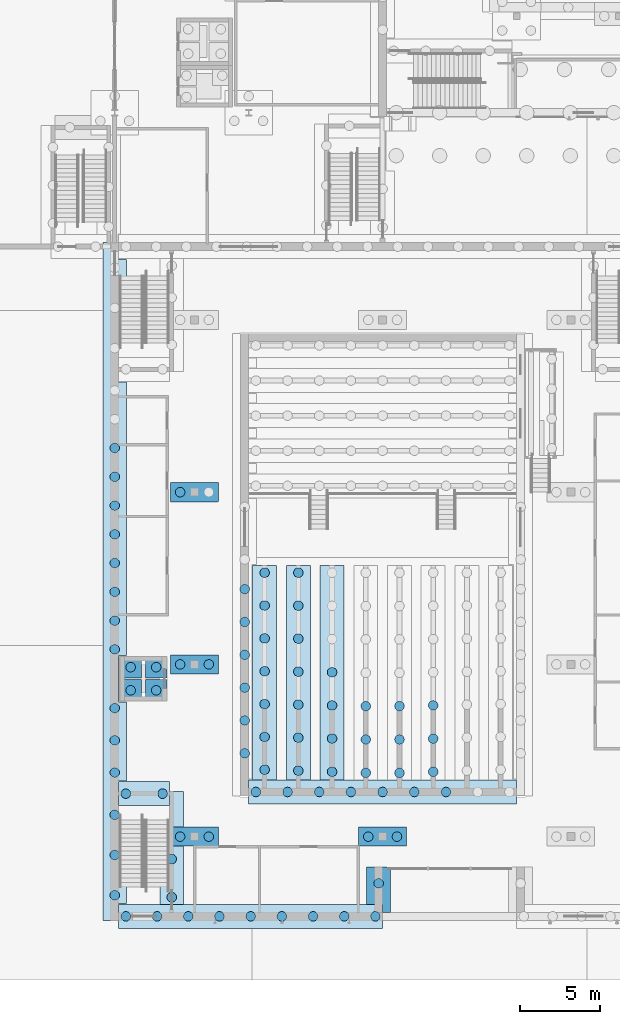
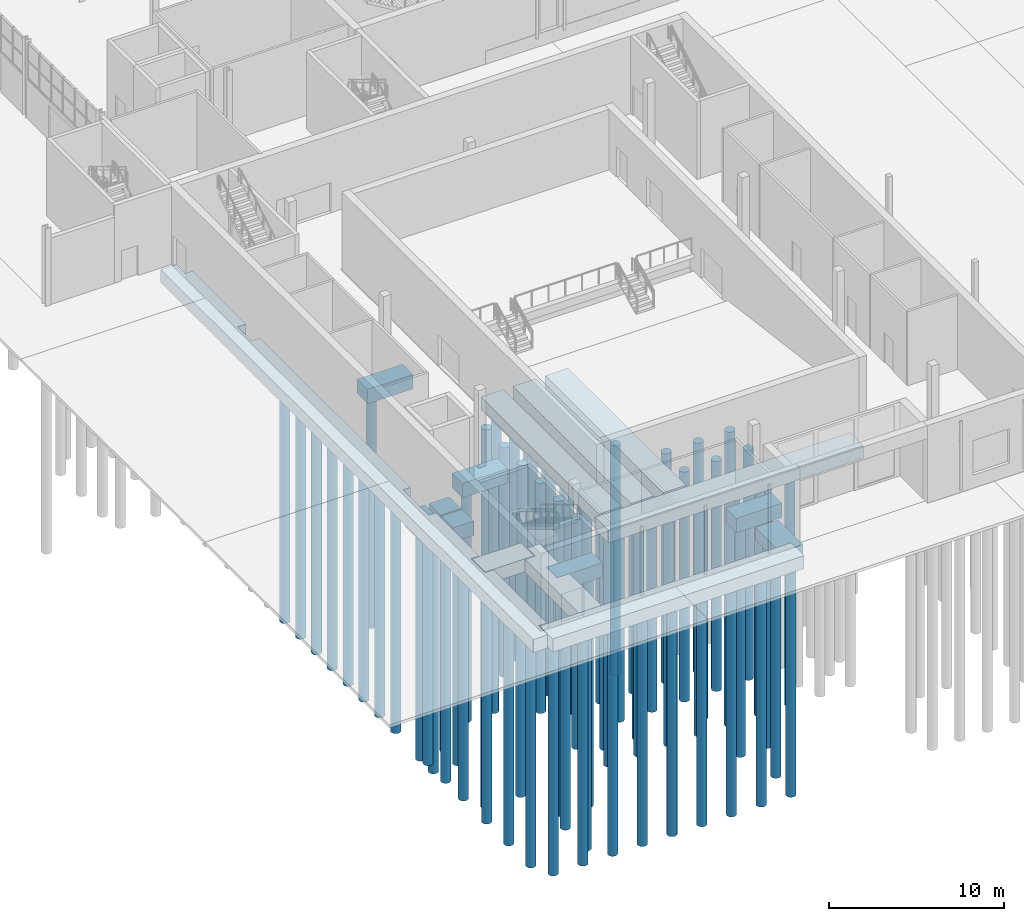
# One storey, part 1 of 127: 79 piles, 17 footings.
"""IFC4 building model written with IfcOpenShell, lengths in metres."""

from ifc_helpers import new_model, si_unit, direction, frame, origin, origin_2d, place, context, subcontext, project, spatial, polyline, circle, outline, extrude, material, layer, layer_set, material_profile, profile_set, type_object, element, save


model = new_model("IFC4")

# Units and contexts
model_context = context("Model", 3, precision=1e-05, world=origin(), true_north=direction((0.0, 1.0)))
body_context = subcontext(model_context, "Body", "Model", "MODEL_VIEW")
ifc_project = project(units=[si_unit("LENGTHUNIT", "METRE"), si_unit("AREAUNIT", "SQUARE_METRE"), si_unit("VOLUMEUNIT", "CUBIC_METRE"), si_unit("PLANEANGLEUNIT", "RADIAN"), si_unit("MASSUNIT", "GRAM", prefix="KILO")], contexts=[model_context])

# Site, building, storey
site_placement = place(None, origin())
site = spatial("IfcSite", under=ifc_project, at=site_placement, CompositionType="ELEMENT")
building_placement = place(site_placement, origin())
building = spatial("IfcBuilding", under=site, at=building_placement, Name="Ljudholm Concert House", CompositionType="ELEMENT")
storey_placement = place(building_placement, origin())
storey = spatial("IfcBuildingStorey", under=building, at=storey_placement, Name="L00", CompositionType="ELEMENT", Elevation=0.0)

# Piles
ifc_material_1 = material(Name="Concrete 5,000 psi", Category="concrete")
ifc_material_profile = material_profile(ifc_material_1, circle(Radius=0.300048828125, at=origin_2d()), Name="AUGER-CAST PILE D600")
ifc_profile_set = profile_set([ifc_material_profile], Name="Concrete 5,000 psi")
pile_type = type_object("IfcPileType", Name="AUGER-CAST PILE D600", PredefinedType="BORED", material=ifc_profile_set)
for number, where, z_axis, x_axis, name in (
    (1, (16.5, 9.0, -1.409912109375), (0.0, 0.0, -1.0), (1.0, 0.0, 0.0), "Pile D600"),
    (2, (18.300048828125, 9.0, -1.409912109375), (0.0, 0.0, -1.0), (1.0, 0.0, 0.0), "Pile D600"),
    (3, (16.5, 19.800048828125, -1.409912109375), (0.0, 0.0, -1.0), (1.0, 0.0, 0.0), "Pile D600"),
    (4, (18.300048828125, 19.800048828125, -1.409912109375), (0.0, 0.0, -1.0), (1.0, 0.0, 0.0), "Pile D600"),
    (5, (16.5, 30.60009765625, -1.409912109375), (0.0, 0.0, -1.0), (1.0, 0.0, 0.0), "Pile D600"),
    (6, (28.300048828125, 9.0, -1.409912109375), (0.0, 0.0, -1.0), (1.0, 0.0, 0.0), "Pile D600"),
    (7, (30.10009765625, 9.0, -1.409912109375), (0.0, 0.0, -1.0), (1.0, 0.0, 0.0), "Pile D600"),
    (8, (13.39990234375, 18.175048828125, -2.89990234375), (0.0, 0.0, -1.0), (1.0, 0.0, 0.0), "Pile D600"),
    (9, (15.0, 18.175048828125, -2.89990234375), (0.0, 0.0, -1.0), (1.0, 0.0, 0.0), "Pile D600"),
    (10, (13.39990234375, 19.625, -2.89990234375), (0.0, 0.0, -1.0), (1.0, 0.0, 0.0), "Pile D600"),
    (11, (15.0, 19.625, -2.89990234375), (0.0, 0.0, -1.0), (1.0, 0.0, 0.0), "Pile D600"),
    (12, (13.10009765625, 11.695068359375, -1.31005859375), (0.0, 0.0, -1.0), (1.0, 0.0, 0.0), "Pile D600"),
    (13, (15.39990234375, 11.695068359375, -1.31005859375), (0.0, 0.0, -1.0), (1.0, 0.0, 0.0), "Pile D600"),
    (14, (21.25, 11.800048828125, -1.31005859375), (0.0, 0.0, -1.0), (1.0, 0.0, 0.0), "Pile D600"),
    (15, (23.237548828125, 11.800048828125, -1.31005859375), (0.0, 0.0, -1.0), (1.0, 0.0, 0.0), "Pile D600"),
    (16, (25.22509765625, 11.800048828125, -1.31005859375), (0.0, 0.0, -1.0), (1.0, 0.0, 0.0), "Pile D600"),
    (17, (27.21240234375, 11.800048828125, -1.31005859375), (0.0, 0.0, -1.0), (1.0, 0.0, 0.0), "Pile D600"),
    (18, (29.199951171875, 11.800048828125, -1.31005859375), (0.0, 0.0, -1.0), (1.0, 0.0, 0.0), "Pile D600"),
    (19, (31.1875, 11.800048828125, -1.31005859375), (0.0, 0.0, -1.0), (1.0, 0.0, 0.0), "Pile D600"),
    (20, (33.175048828125, 11.800048828125, -1.31005859375), (0.0, 0.0, -1.0), (1.0, 0.0, 0.0), "Pile D600"),
    (21, (13.10009765625, 4.0, -1.31005859375), (0.0, 0.0, -1.0), (1.0, 0.0, 0.0), "Pile D600"),
    (22, (15.05615234375, 4.0, -1.31005859375), (0.0, 0.0, -1.0), (1.0, 0.0, 0.0), "Pile D600"),
    (23, (17.012451171875, 4.0, -1.31005859375), (0.0, 0.0, -1.0), (1.0, 0.0, 0.0), "Pile D600"),
    (24, (18.96875, 4.0, -1.31005859375), (0.0, 0.0, -1.0), (1.0, 0.0, 0.0), "Pile D600"),
    (25, (20.925048828125, 4.0, -1.31005859375), (0.0, 0.0, -1.0), (1.0, 0.0, 0.0), "Pile D600"),
    (26, (22.88134765625, 4.0, -1.31005859375), (0.0, 0.0, -1.0), (1.0, 0.0, 0.0), "Pile D600"),
    (27, (24.83740234375, 4.0, -1.31005859375), (0.0, 0.0, -1.0), (1.0, 0.0, 0.0), "Pile D600"),
    (28, (26.793701171875, 4.0, -1.31005859375), (0.0, 0.0, -1.0), (1.0, 0.0, 0.0), "Pile D600"),
    (29, (28.75, 4.0, -1.31005859375), (0.0, 0.0, -1.0), (1.0, 0.0, 0.0), "Pile D600"),
    (30, (15.97509765625, 5.199951171875, -1.31005859375), (0.0, 0.0, -1.0), (1.0, 0.0, 0.0), "Pile D600"),
    (31, (15.97509765625, 7.59521484375, -1.31005859375), (0.0, 0.0, -1.0), (1.0, 0.0, 0.0), "Pile D600"),
    (32, (28.949951171875, 6.068115234375, -1.31005859375), (0.0, 0.0, -1.0), (1.0, 0.0, 0.0), "Pile D600"),
    (33, (21.800048828125, 13.195068359375, -1.199951171875), (0.0, 0.0, -1.0), (1.0, 0.0, 0.0), "Pile D600"),
    (34, (21.800048828125, 15.254150390625, -1.199951171875), (0.0, 0.0, -1.0), (1.0, 0.0, 0.0), "Pile D600"),
    (35, (21.800048828125, 17.3134765625, -1.199951171875), (0.0, 0.0, -1.0), (1.0, 0.0, 0.0), "Pile D600"),
    (36, (21.800048828125, 19.37255859375, -1.199951171875), (0.0, 0.0, -1.0), (1.0, 0.0, 0.0), "Pile D600"),
    (37, (21.800048828125, 21.431640625, -1.199951171875), (0.0, 0.0, -1.0), (1.0, 0.0, 0.0), "Pile D600"),
    (38, (21.800048828125, 23.490966796875, -1.199951171875), (0.0, 0.0, -1.0), (1.0, 0.0, 0.0), "Pile D600"),
    (39, (21.800048828125, 25.550048828125, -1.199951171875), (0.0, 0.0, -1.0), (1.0, 0.0, 0.0), "Pile D600"),
    (40, (23.914306640625, 13.13818359375, -1.199951171875), (0.0, 0.0, -1.0), (1.0, 0.0, 0.0), "Pile D600"),
    (41, (23.914306640625, 15.206787109375, -1.199951171875), (0.0, 0.0, -1.0), (1.0, 0.0, 0.0), "Pile D600"),
    (42, (23.914306640625, 17.275390625, -1.199951171875), (0.0, 0.0, -1.0), (1.0, 0.0, 0.0), "Pile D600"),
    (43, (23.914306640625, 19.343994140625, -1.199951171875), (0.0, 0.0, -1.0), (1.0, 0.0, 0.0), "Pile D600"),
    (44, (23.914306640625, 21.41259765625, -1.199951171875), (0.0, 0.0, -1.0), (1.0, 0.0, 0.0), "Pile D600"),
    (45, (23.914306640625, 23.4814453125, -1.199951171875), (0.0, 0.0, -1.0), (1.0, 0.0, 0.0), "Pile D600"),
    (46, (23.914306640625, 25.550048828125, -1.199951171875), (0.0, 0.0, -1.0), (1.0, 0.0, 0.0), "Pile D600"),
    (47, (26.028564453125, 13.066162109375, -1.199951171875), (0.0, 0.0, -1.0), (1.0, 0.0, 0.0), "Pile D600"),
    (48, (26.028564453125, 15.146728515625, -1.199951171875), (0.0, 0.0, -1.0), (1.0, 0.0, 0.0), "Pile D600"),
    (49, (26.028564453125, 17.227294921875, -1.199951171875), (0.0, 0.0, -1.0), (1.0, 0.0, 0.0), "Pile D600"),
    (50, (26.028564453125, 19.30810546875, -1.199951171875), (0.0, 0.0, -1.0), (1.0, 0.0, 0.0), "Pile D600"),
    (51, (28.142822265625, 13.0, -1.199951171875), (0.0, 0.0, -1.0), (1.0, 0.0, 0.0), "Pile D600"),
    (52, (28.142822265625, 15.091552734375, -1.199951171875), (0.0, 0.0, -1.0), (1.0, 0.0, 0.0), "Pile D600"),
    (53, (28.142822265625, 17.183349609375, -1.199951171875), (0.0, 0.0, -1.0), (1.0, 0.0, 0.0), "Pile D600"),
    (54, (30.257080078125, 13.0, -1.199951171875), (0.0, 0.0, -1.0), (1.0, 0.0, 0.0), "Pile D600"),
    (55, (30.257080078125, 15.091552734375, -1.199951171875), (0.0, 0.0, -1.0), (1.0, 0.0, 0.0), "Pile D600"),
    (56, (30.257080078125, 17.183349609375, -1.199951171875), (0.0, 0.0, -1.0), (1.0, 0.0, 0.0), "Pile D600"),
    (57, (32.371337890625, 13.066162109375, -1.199951171875), (0.0, 0.0, -1.0), (1.0, 0.0, 0.0), "Pile D600"),
    (58, (32.371337890625, 15.146728515625, -1.199951171875), (0.0, 0.0, -1.0), (1.0, 0.0, 0.0), "Pile D600"),
    (59, (32.371337890625, 17.227294921875, -1.199951171875), (0.0, 0.0, -1.0), (1.0, 0.0, 0.0), "Pile D600"),
    (60, (20.550048828125, 14.224609375, -1.31005859375), (0.0, 0.0, -1.0), (1.0, 0.0, 0.0), "Pile D600"),
    (61, (20.550048828125, 16.283935546875, -1.31005859375), (0.0, 0.0, -1.0), (1.0, 0.0, 0.0), "Pile D600"),
    (62, (20.550048828125, 18.343017578125, -1.31005859375), (0.0, 0.0, -1.0), (1.0, 0.0, 0.0), "Pile D600"),
    (63, (20.550048828125, 20.402099609375, -1.31005859375), (0.0, 0.0, -1.0), (1.0, 0.0, 0.0), "Pile D600"),
    (64, (20.550048828125, 22.461181640625, -1.31005859375), (0.0, 0.0, -1.0), (1.0, 0.0, 0.0), "Pile D600"),
    (65, (20.550048828125, 24.5205078125, -1.31005859375), (0.0, 0.0, -1.0), (1.0, 0.0, 0.0), "Pile D600"),
    (66, (12.39990234375, 5.326416015625, -1.31005859375), (0.0, 0.0, -1.0), (1.0, 0.0, 0.0), "Pile D600"),
    (67, (12.39990234375, 7.847412109375, -1.31005859375), (0.0, 0.0, -1.0), (1.0, 0.0, 0.0), "Pile D600"),
    (68, (12.39990234375, 10.36865234375, -1.31005859375), (0.0, 0.0, -1.0), (1.0, 0.0, 0.0), "Pile D600"),
    (69, (12.39990234375, 13.021484375, -1.31005859375), (0.0, 0.0, -1.0), (1.0, 0.0, 0.0), "Pile D600"),
    (70, (12.39990234375, 15.039306640625, -1.31005859375), (0.0, 0.0, -1.0), (1.0, 0.0, 0.0), "Pile D600"),
    (71, (12.39990234375, 17.05712890625, -1.31005859375), (0.0, 0.0, -1.0), (1.0, 0.0, 0.0), "Pile D600"),
    (72, (12.39990234375, 20.74267578125, -1.31005859375), (0.0, 0.0, -1.0), (1.0, 0.0, 0.0), "Pile D600"),
    (73, (12.39990234375, 22.546630859375, -1.31005859375), (0.0, 0.0, -1.0), (1.0, 0.0, 0.0), "Pile D600"),
    (74, (12.39990234375, 24.350830078125, -1.31005859375), (0.0, 0.0, -1.0), (1.0, 0.0, 0.0), "Pile D600"),
    (75, (12.39990234375, 26.15478515625, -1.31005859375), (0.0, 0.0, -1.0), (1.0, 0.0, 0.0), "Pile D600"),
    (76, (12.39990234375, 27.958740234375, -1.31005859375), (0.0, 0.0, -1.0), (1.0, 0.0, 0.0), "Pile D600"),
    (77, (12.39990234375, 29.7626953125, -1.31005859375), (0.0, 0.0, -1.0), (1.0, 0.0, 0.0), "Pile D600"),
    (78, (12.39990234375, 31.566650390625, -1.31005859375), (0.0, 0.0, -1.0), (1.0, 0.0, 0.0), "Pile D600"),
    (79, (12.39990234375, 33.37060546875, -1.31005859375), (0.0, 0.0, -1.0), (1.0, 0.0, 0.0), "Pile D600"),
):
    element("IfcPile", number, at=place(storey_placement, frame(where, z_axis=z_axis, x_axis=x_axis)), inside=storey, type_object=pile_type, Name=name, PredefinedType="BORED", context=body_context, shape_type="SweptSolid", body=[
        extrude(circle(Radius=0.300048828125, at=origin_2d()), origin(), (0.0, 0.0, 1.0), 16.0),
    ])

# Footings
ifc_material_2 = material(Name="Concrete 5,000 psi", Category="concrete")
ifc_layer_1 = layer(ifc_material_2, 1.0)
ifc_layer_set_1 = layer_set([ifc_layer_1], Name="Concrete 5,000 psi")
footing_type_1 = type_object("IfcFootingType", Name="RC PILE CAP 1350x1350x1000", PredefinedType="PILE_CAP", material=ifc_layer_set_1)
footing_1_placement = place(storey_placement, frame((0.0, 0.0, -2.89990234375)))
element("IfcFooting", 80, at=footing_1_placement, inside=storey, type_object=footing_type_1, Name="Pile cap", PredefinedType="PILE_CAP", context=body_context, shape_type="SweptSolid", body=[
    extrude(outline(polyline([(12.735107421875, 17.5), (14.06494140625, 17.5), (14.06884765625, 17.500732421875), (14.072021484375, 17.5029296875), (14.07421875, 17.506103515625), (14.074951171875, 17.510009765625), (14.074951171875, 18.840087890625), (14.07421875, 18.84375), (14.072021484375, 18.84716796875), (14.06884765625, 18.84912109375), (14.06494140625, 18.85009765625), (12.735107421875, 18.85009765625), (12.731201171875, 18.84912109375), (12.72802734375, 18.84716796875), (12.725830078125, 18.84375), (12.72509765625, 18.840087890625), (12.72509765625, 17.510009765625), (12.725830078125, 17.506103515625), (12.72802734375, 17.5029296875), (12.731201171875, 17.500732421875), (12.735107421875, 17.5)])), origin(), (0.0, 0.0, 1.0), 1.0),
])
footing_2_placement = place(storey_placement, frame((0.0, 0.0, -2.89990234375)))
element("IfcFooting", 81, at=footing_2_placement, inside=storey, type_object=footing_type_1, Name="Pile cap", PredefinedType="PILE_CAP", context=body_context, shape_type="SweptSolid", body=[
    extrude(outline(polyline([(14.3349609375, 17.5), (15.6650390625, 17.5), (15.6689453125, 17.500732421875), (15.672119140625, 17.5029296875), (15.67431640625, 17.506103515625), (15.675048828125, 17.510009765625), (15.675048828125, 18.840087890625), (15.67431640625, 18.84375), (15.672119140625, 18.84716796875), (15.6689453125, 18.84912109375), (15.6650390625, 18.85009765625), (14.3349609375, 18.85009765625), (14.3310546875, 18.84912109375), (14.327880859375, 18.84716796875), (14.32568359375, 18.84375), (14.324951171875, 18.840087890625), (14.324951171875, 17.510009765625), (14.32568359375, 17.506103515625), (14.327880859375, 17.5029296875), (14.3310546875, 17.500732421875), (14.3349609375, 17.5)])), origin(), (0.0, 0.0, 1.0), 1.0),
])
footing_3_placement = place(storey_placement, frame((0.0, 0.0, -2.89990234375)))
element("IfcFooting", 82, at=footing_3_placement, inside=storey, type_object=footing_type_1, Name="Pile cap", PredefinedType="PILE_CAP", context=body_context, shape_type="SweptSolid", body=[
    extrude(outline(polyline([(12.735107421875, 18.949951171875), (14.06494140625, 18.949951171875), (14.06884765625, 18.95068359375), (14.072021484375, 18.952880859375), (14.07421875, 18.9560546875), (14.074951171875, 18.9599609375), (14.074951171875, 20.2900390625), (14.07421875, 20.2939453125), (14.072021484375, 20.297119140625), (14.06884765625, 20.29931640625), (14.06494140625, 20.300048828125), (12.735107421875, 20.300048828125), (12.731201171875, 20.29931640625), (12.72802734375, 20.297119140625), (12.725830078125, 20.2939453125), (12.72509765625, 20.2900390625), (12.72509765625, 18.9599609375), (12.725830078125, 18.9560546875), (12.72802734375, 18.952880859375), (12.731201171875, 18.95068359375), (12.735107421875, 18.949951171875)])), origin(), (0.0, 0.0, 1.0), 1.0),
])
footing_4_placement = place(storey_placement, frame((0.0, 0.0, -2.89990234375)))
element("IfcFooting", 83, at=footing_4_placement, inside=storey, type_object=footing_type_1, Name="Pile cap", PredefinedType="PILE_CAP", context=body_context, shape_type="SweptSolid", body=[
    extrude(outline(polyline([(14.3349609375, 18.949951171875), (15.6650390625, 18.949951171875), (15.6689453125, 18.95068359375), (15.672119140625, 18.952880859375), (15.67431640625, 18.9560546875), (15.675048828125, 18.9599609375), (15.675048828125, 20.2900390625), (15.67431640625, 20.2939453125), (15.672119140625, 20.297119140625), (15.6689453125, 20.29931640625), (15.6650390625, 20.300048828125), (14.3349609375, 20.300048828125), (14.3310546875, 20.29931640625), (14.327880859375, 20.297119140625), (14.32568359375, 20.2939453125), (14.324951171875, 20.2900390625), (14.324951171875, 18.9599609375), (14.32568359375, 18.9560546875), (14.327880859375, 18.952880859375), (14.3310546875, 18.95068359375), (14.3349609375, 18.949951171875)])), origin(), (0.0, 0.0, 1.0), 1.0),
])
ifc_material_3 = material(Name="Concrete 5,000 psi", Category="concrete")
ifc_layer_2 = layer(ifc_material_3, 1.0)
ifc_layer_set_2 = layer_set([ifc_layer_2], Name="Concrete 5,000 psi")
footing_type_2 = type_object("IfcFootingType", Name="RC PILE CAP 3000x1200x1000", PredefinedType="PILE_CAP", material=ifc_layer_set_2)
footing_5_placement = place(storey_placement, frame((0.0, 0.0, -1.409912109375)))
element("IfcFooting", 84, at=footing_5_placement, inside=storey, type_object=footing_type_2, Name="Pile cap", PredefinedType="PILE_CAP", context=body_context, shape_type="SweptSolid", body=[
    extrude(outline(polyline([(15.909912109375, 8.39990234375), (18.889892578125, 8.39990234375), (18.893798828125, 8.40087890625), (18.898193359375, 8.404541015625), (18.89990234375, 8.409912109375), (18.89990234375, 9.590087890625), (18.899169921875, 9.59375), (18.8955078125, 9.598388671875), (18.889892578125, 9.60009765625), (15.909912109375, 9.60009765625), (15.90625, 9.59912109375), (15.901611328125, 9.595458984375), (15.89990234375, 9.590087890625), (15.89990234375, 8.409912109375), (15.90087890625, 8.40625), (15.90283203125, 8.40283203125), (15.90625, 8.40087890625), (15.909912109375, 8.39990234375)])), origin(), (0.0, 0.0, 1.0), 1.0),
])
footing_6_placement = place(storey_placement, frame((0.0, 0.0, -1.409912109375)))
element("IfcFooting", 85, at=footing_6_placement, inside=storey, type_object=footing_type_2, Name="Pile cap", PredefinedType="PILE_CAP", context=body_context, shape_type="SweptSolid", body=[
    extrude(outline(polyline([(15.89990234375, 20.389892578125), (15.89990234375, 19.2099609375), (15.901611328125, 19.204345703125), (15.90625, 19.20068359375), (15.909912109375, 19.199951171875), (18.889892578125, 19.199951171875), (18.8955078125, 19.20166015625), (18.899169921875, 19.2060546875), (18.89990234375, 19.2099609375), (18.89990234375, 20.389892578125), (18.898193359375, 20.3955078125), (18.893798828125, 20.399169921875), (18.889892578125, 20.39990234375), (15.909912109375, 20.39990234375), (15.90625, 20.399169921875), (15.90283203125, 20.39697265625), (15.90087890625, 20.393798828125), (15.89990234375, 20.389892578125)])), origin(), (0.0, 0.0, 1.0), 1.0),
])
footing_7_placement = place(storey_placement, frame((0.0, 0.0, -1.409912109375)))
element("IfcFooting", 86, at=footing_7_placement, inside=storey, type_object=footing_type_2, Name="Pile cap", PredefinedType="PILE_CAP", context=body_context, shape_type="SweptSolid", body=[
    extrude(outline(polyline([(15.909912109375, 30.0), (18.889892578125, 30.0), (18.893798828125, 30.000732421875), (18.898193359375, 30.00439453125), (18.89990234375, 30.010009765625), (18.89990234375, 31.18994140625), (18.899169921875, 31.19384765625), (18.8955078125, 31.1982421875), (18.889892578125, 31.199951171875), (15.909912109375, 31.199951171875), (15.90625, 31.19921875), (15.901611328125, 31.195556640625), (15.89990234375, 31.18994140625), (15.89990234375, 30.010009765625), (15.90087890625, 30.006103515625), (15.90283203125, 30.0029296875), (15.90625, 30.000732421875), (15.909912109375, 30.0)])), origin(), (0.0, 0.0, 1.0), 1.0),
])
footing_8_placement = place(storey_placement, frame((0.0, 0.0, -1.409912109375)))
element("IfcFooting", 87, at=footing_8_placement, inside=storey, type_object=footing_type_2, Name="Pile cap", PredefinedType="PILE_CAP", context=body_context, shape_type="SweptSolid", body=[
    extrude(outline(polyline([(27.7099609375, 8.39990234375), (30.68994140625, 8.39990234375), (30.69384765625, 8.40087890625), (30.6982421875, 8.404541015625), (30.699951171875, 8.409912109375), (30.699951171875, 9.590087890625), (30.69921875, 9.59375), (30.695556640625, 9.598388671875), (30.68994140625, 9.60009765625), (27.7099609375, 9.60009765625), (27.7060546875, 9.59912109375), (27.70166015625, 9.595458984375), (27.699951171875, 9.590087890625), (27.699951171875, 8.409912109375), (27.70068359375, 8.40625), (27.702880859375, 8.40283203125), (27.7060546875, 8.40087890625), (27.7099609375, 8.39990234375)])), origin(), (0.0, 0.0, 1.0), 1.0),
])
ifc_material_4 = material(Name="Concrete 5,000 psi", Category="concrete")
ifc_layer_3 = layer(ifc_material_4, 0.89990234375)
ifc_layer_set_3 = layer_set([ifc_layer_3], Name="Concrete 5,000 psi")
footing_type_3 = type_object("IfcFootingType", Name="RC STRIP FOOTING 1500x900", PredefinedType="STRIP_FOOTING", material=ifc_layer_set_3)
footing_9_placement = place(storey_placement, frame((0.0, 0.0, -1.31005859375)))
element("IfcFooting", 88, at=footing_9_placement, inside=storey, type_object=footing_type_3, Name="Strip footing", PredefinedType="STRIP_FOOTING", context=body_context, shape_type="SweptSolid", body=[
    extrude(outline(polyline([(12.659912109375, 10.945068359375), (15.840087890625, 10.945068359375), (15.84375, 10.94580078125), (15.848388671875, 10.949462890625), (15.85009765625, 10.955078125), (15.85009765625, 12.43505859375), (15.84912109375, 12.438720703125), (15.845458984375, 12.443359375), (15.840087890625, 12.445068359375), (12.659912109375, 12.445068359375), (12.65625, 12.4443359375), (12.651611328125, 12.440673828125), (12.64990234375, 12.43505859375), (12.64990234375, 10.955078125), (12.65087890625, 10.951171875), (12.65283203125, 10.947998046875), (12.65625, 10.94580078125), (12.659912109375, 10.945068359375)])), origin(), (0.0, 0.0, 1.0), 0.900146484375),
])
footing_10_placement = place(storey_placement, frame((0.0, 0.0, -1.31005859375)))
element("IfcFooting", 89, at=footing_10_placement, inside=storey, type_object=footing_type_3, Name="Strip footing", PredefinedType="STRIP_FOOTING", context=body_context, shape_type="SweptSolid", body=[
    extrude(outline(polyline([(20.81005859375, 11.050048828125), (37.591064453125, 11.050048828125), (37.5947265625, 11.05126953125), (37.59765625, 11.0537109375), (37.599609375, 11.05712890625), (37.60009765625, 11.06005859375), (37.599853515625, 12.541015625), (37.598876953125, 12.544677734375), (37.596435546875, 12.5478515625), (37.59375, 12.54931640625), (37.590087890625, 12.550048828125), (20.80908203125, 12.550048828125), (20.80517578125, 12.548828125), (20.80224609375, 12.54638671875), (20.80078125, 12.5439453125), (20.800048828125, 12.5400390625), (20.800048828125, 11.06005859375), (20.80078125, 11.05615234375), (20.802978515625, 11.052978515625), (20.80615234375, 11.05078125), (20.81005859375, 11.050048828125)])), origin(), (0.0, 0.0, 1.0), 0.900146484375),
])
footing_11_placement = place(storey_placement, frame((0.0, 0.0, -1.31005859375)))
element("IfcFooting", 90, at=footing_11_placement, inside=storey, type_object=footing_type_3, Name="Strip footing", PredefinedType="STRIP_FOOTING", context=body_context, shape_type="SweptSolid", body=[
    extrude(outline(polyline([(12.659912109375, 3.25), (29.19091796875, 3.25), (29.19482421875, 3.251220703125), (29.19775390625, 3.253662109375), (29.19921875, 3.256103515625), (29.199951171875, 3.260009765625), (29.199951171875, 4.740966796875), (29.19873046875, 4.74462890625), (29.1962890625, 4.747802734375), (29.19287109375, 4.74951171875), (29.18994140625, 4.75), (12.658935546875, 4.75), (12.65625, 4.749267578125), (12.65283203125, 4.7470703125), (12.65087890625, 4.743896484375), (12.64990234375, 4.739990234375), (12.64990234375, 3.260009765625), (12.65087890625, 3.256103515625), (12.65283203125, 3.2529296875), (12.65625, 3.250732421875), (12.659912109375, 3.25)])), origin(), (0.0, 0.0, 1.0), 0.900146484375),
])
footing_12_placement = place(storey_placement, frame((0.0, 0.0, -1.31005859375)))
element("IfcFooting", 91, at=footing_12_placement, inside=storey, type_object=footing_type_3, Name="Strip footing", PredefinedType="STRIP_FOOTING", context=body_context, shape_type="SweptSolid", body=[
    extrude(outline(polyline([(15.22509765625, 10.885009765625), (15.22509765625, 4.758056640625), (15.226806640625, 4.75439453125), (15.228759765625, 4.752197265625), (15.231201171875, 4.750732421875), (15.235107421875, 4.75), (16.717041015625, 4.750244140625), (16.7197265625, 4.751220703125), (16.72265625, 4.753662109375), (16.72412109375, 4.756103515625), (16.72509765625, 4.760009765625), (16.724853515625, 8.391845703125), (16.723388671875, 8.3955078125), (16.721435546875, 8.397705078125), (16.718017578125, 8.399658203125), (16.715087890625, 8.39990234375), (15.91015625, 8.39990234375), (15.9052734375, 8.401123046875), (15.901611328125, 8.404541015625), (15.89990234375, 8.41015625), (15.89990234375, 9.58984375), (15.90087890625, 9.59375), (15.90283203125, 9.59716796875), (15.90625, 9.59912109375), (15.91015625, 9.60009765625), (16.715087890625, 9.60009765625), (16.720458984375, 9.601806640625), (16.72412109375, 9.606201171875), (16.72509765625, 9.610107421875), (16.72509765625, 11.81005859375), (16.723388671875, 11.815673828125), (16.7197265625, 11.81884765625), (16.715087890625, 11.820068359375), (15.909912109375, 11.820068359375), (15.904541015625, 11.818359375), (15.901123046875, 11.814697265625), (15.89990234375, 11.81005859375), (15.89990234375, 10.9052734375), (15.898193359375, 10.8994140625), (15.894775390625, 10.896240234375), (15.8896484375, 10.89501953125), (15.235107421875, 10.89501953125), (15.231201171875, 10.894287109375), (15.22802734375, 10.89208984375), (15.225830078125, 10.888916015625), (15.22509765625, 10.885009765625)])), origin(), (0.0, 0.0, 1.0), 0.900146484375),
])
footing_13_placement = place(storey_placement, frame((0.0, 0.0, -1.31005859375)))
element("IfcFooting", 92, at=footing_13_placement, inside=storey, type_object=footing_type_3, Name="Strip footing", PredefinedType="STRIP_FOOTING", context=body_context, shape_type="SweptSolid", body=[
    extrude(outline(polyline([(28.2099609375, 4.75), (29.19287109375, 4.74951171875), (29.195556640625, 4.748291015625), (29.1982421875, 4.74560546875), (29.199951171875, 4.73974609375), (29.199951171875, 4.260009765625), (29.20068359375, 4.256103515625), (29.202880859375, 4.2529296875), (29.2060546875, 4.250732421875), (29.2099609375, 4.25), (29.68994140625, 4.25), (29.69482421875, 4.251220703125), (29.6982421875, 4.25439453125), (29.699951171875, 4.260009765625), (29.699951171875, 7.090087890625), (29.69873046875, 7.0947265625), (29.695556640625, 7.098388671875), (29.68994140625, 7.10009765625), (28.2099609375, 7.10009765625), (28.205322265625, 7.098876953125), (28.20166015625, 7.095458984375), (28.199951171875, 7.090087890625), (28.199951171875, 4.760009765625), (28.20068359375, 4.756103515625), (28.202880859375, 4.7529296875), (28.2060546875, 4.750732421875), (28.2099609375, 4.75)])), origin(), (0.0, 0.0, 1.0), 0.900146484375),
])
footing_14_placement = place(storey_placement, frame((0.0, 0.0, -1.199951171875)))
element("IfcFooting", 93, at=footing_14_placement, inside=storey, type_object=footing_type_3, Name="Strip footing", PredefinedType="STRIP_FOOTING", context=body_context, shape_type="SweptSolid", body=[
    extrude(outline(polyline([(21.050048828125, 25.989990234375), (21.050048828125, 12.55908203125), (21.05126953125, 12.55517578125), (21.0537109375, 12.55224609375), (21.05712890625, 12.550537109375), (21.06005859375, 12.550048828125), (22.541015625, 12.550048828125), (22.544677734375, 12.55126953125), (22.5478515625, 12.5537109375), (22.54931640625, 12.55615234375), (22.550048828125, 12.56005859375), (22.550048828125, 25.990966796875), (22.548828125, 25.99462890625), (22.54638671875, 25.997802734375), (22.5439453125, 25.999267578125), (22.5400390625, 26.0), (21.06005859375, 26.0), (21.05615234375, 25.999267578125), (21.052978515625, 25.9970703125), (21.05078125, 25.993896484375), (21.050048828125, 25.989990234375)])), origin(), (0.0, 0.0, 1.0), 0.89990234375),
])
footing_15_placement = place(storey_placement, frame((0.0, 0.0, -1.199951171875)))
element("IfcFooting", 94, at=footing_15_placement, inside=storey, type_object=footing_type_3, Name="Strip footing", PredefinedType="STRIP_FOOTING", context=body_context, shape_type="SweptSolid", body=[
    extrude(outline(polyline([(23.164306640625, 25.989990234375), (23.164306640625, 12.55908203125), (23.16552734375, 12.55517578125), (23.16796875, 12.55224609375), (23.17138671875, 12.550537109375), (23.17431640625, 12.550048828125), (24.6552734375, 12.550048828125), (24.658935546875, 12.55126953125), (24.662109375, 12.5537109375), (24.66357421875, 12.55615234375), (24.664306640625, 12.56005859375), (24.664306640625, 25.990966796875), (24.6630859375, 25.99462890625), (24.66064453125, 25.997802734375), (24.658203125, 25.999267578125), (24.654296875, 26.0), (23.17431640625, 26.0), (23.17041015625, 25.999267578125), (23.167236328125, 25.9970703125), (23.1650390625, 25.993896484375), (23.164306640625, 25.989990234375)])), origin(), (0.0, 0.0, 1.0), 0.89990234375),
])
footing_16_placement = place(storey_placement, frame((0.0, 0.0, -1.199951171875)))
element("IfcFooting", 95, at=footing_16_placement, inside=storey, type_object=footing_type_3, Name="Strip footing", PredefinedType="STRIP_FOOTING", context=body_context, shape_type="SweptSolid", body=[
    extrude(outline(polyline([(25.278564453125, 25.989990234375), (25.278564453125, 12.55908203125), (25.27978515625, 12.55517578125), (25.2822265625, 12.55224609375), (25.28564453125, 12.550537109375), (25.28857421875, 12.550048828125), (26.76953125, 12.550048828125), (26.773193359375, 12.55126953125), (26.7763671875, 12.5537109375), (26.77783203125, 12.55615234375), (26.778564453125, 12.56005859375), (26.778564453125, 25.990966796875), (26.77734375, 25.99462890625), (26.77490234375, 25.997802734375), (26.7724609375, 25.999267578125), (26.7685546875, 26.0), (25.28857421875, 26.0), (25.28466796875, 25.999267578125), (25.281494140625, 25.9970703125), (25.279296875, 25.993896484375), (25.278564453125, 25.989990234375)])), origin(), (0.0, 0.0, 1.0), 0.89990234375),
])
footing_17_placement = place(storey_placement, frame((0.0, 0.0, -1.31005859375)))
element("IfcFooting", 96, at=footing_17_placement, inside=storey, type_object=footing_type_3, Name="Strip footing", PredefinedType="STRIP_FOOTING", context=body_context, shape_type="SweptSolid", body=[
    extrude(outline(polyline([(11.64990234375, 46.239990234375), (11.64990234375, 3.760009765625), (11.65087890625, 3.756103515625), (11.65283203125, 3.7529296875), (11.65625, 3.750732421875), (11.659912109375, 3.75), (12.590087890625, 3.75), (12.59375, 3.750732421875), (12.59716796875, 3.7529296875), (12.59912109375, 3.756103515625), (12.60009765625, 3.760009765625), (12.60009765625, 4.789794921875), (12.60107421875, 4.794677734375), (12.605224609375, 4.798828125), (12.6103515625, 4.800048828125), (13.139892578125, 4.800048828125), (13.143798828125, 4.80078125), (13.14697265625, 4.802978515625), (13.149169921875, 4.80615234375), (13.14990234375, 4.81005859375), (13.14990234375, 10.885986328125), (13.14892578125, 10.8896484375), (13.14697265625, 10.89208984375), (13.143798828125, 10.894287109375), (13.139892578125, 10.89501953125), (12.6103515625, 10.89501953125), (12.6044921875, 10.896728515625), (12.601806640625, 10.8994140625), (12.600341796875, 10.902099609375), (12.60009765625, 12.48486328125), (12.600830078125, 12.48876953125), (12.60302734375, 12.491943359375), (12.606201171875, 12.494140625), (12.6103515625, 12.4951171875), (13.139892578125, 12.4951171875), (13.143798828125, 12.495849609375), (13.14697265625, 12.498046875), (13.149169921875, 12.501220703125), (13.14990234375, 12.5048828125), (13.14990234375, 17.44091796875), (13.14892578125, 17.44482421875), (13.146240234375, 17.44775390625), (13.143798828125, 17.44921875), (13.139892578125, 17.449951171875), (12.685302734375, 17.449951171875), (12.68212890625, 17.450439453125), (12.6787109375, 17.452392578125), (12.67626953125, 17.455322265625), (12.67529296875, 17.4580078125), (12.675048828125, 20.33984375), (12.67578125, 20.34375), (12.677978515625, 20.34716796875), (12.68115234375, 20.34912109375), (12.685302734375, 20.35009765625), (13.139892578125, 20.35009765625), (13.143798828125, 20.350830078125), (13.14697265625, 20.35302734375), (13.149169921875, 20.356201171875), (13.14990234375, 20.360107421875), (13.14990234375, 37.4951171875), (13.149169921875, 37.498779296875), (13.14697265625, 37.501953125), (13.143798828125, 37.504150390625), (13.139892578125, 37.5048828125), (12.6103515625, 37.5048828125), (12.6044921875, 37.506591796875), (12.602294921875, 37.508544921875), (12.600341796875, 37.51220703125), (12.60009765625, 39.0947265625), (12.600830078125, 39.098876953125), (12.60302734375, 39.10205078125), (12.606201171875, 39.104248046875), (12.6103515625, 39.10498046875), (13.139892578125, 39.10498046875), (13.142822265625, 39.10546875), (13.146240234375, 39.107177734375), (13.14892578125, 39.1103515625), (13.14990234375, 39.114013671875), (13.14990234375, 45.18994140625), (13.149169921875, 45.19384765625), (13.14697265625, 45.197021484375), (13.143798828125, 45.19921875), (13.139892578125, 45.199951171875), (12.6103515625, 45.199951171875), (12.605224609375, 45.201171875), (12.60107421875, 45.205322265625), (12.60009765625, 45.210205078125), (12.60009765625, 46.239990234375), (12.598876953125, 46.24462890625), (12.595458984375, 46.248291015625), (12.590087890625, 46.25), (11.659912109375, 46.25), (11.65625, 46.249267578125), (11.65283203125, 46.2470703125), (11.65087890625, 46.243896484375), (11.64990234375, 46.239990234375)])), origin(), (0.0, 0.0, 1.0), 0.900146484375),
])

save(model, "model.ifc")
